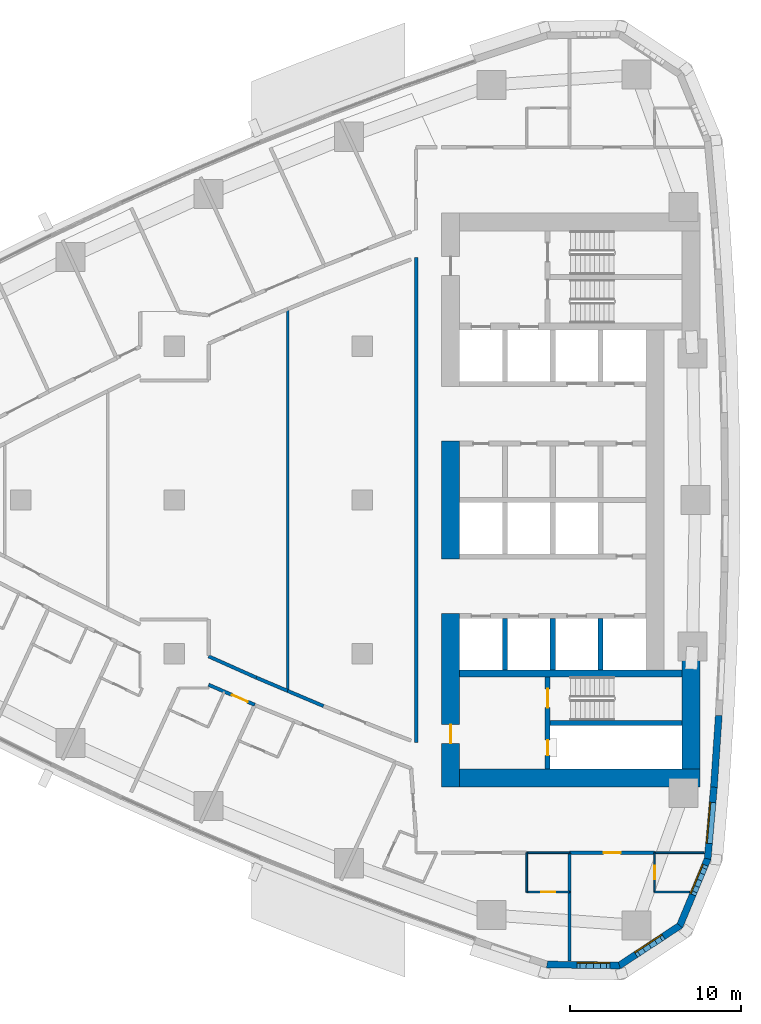
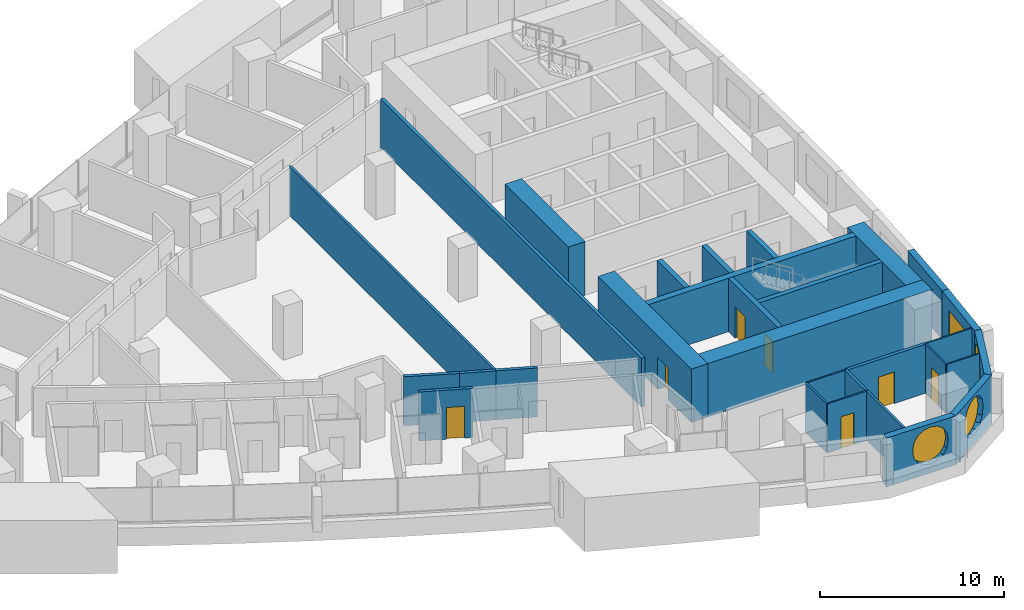
# One storey, part 10 of 17: 29 walls, 7 doors, 4 windows, 11 openings.
"""IFC4 building model written with IfcOpenShell, lengths in metres."""

from ifc_helpers import new_model, si_unit, direction, frame, frame_2d, origin, place, context, subcontext, project, spatial, polyline, rectangle, outline, extrude, material, layer, layer_set, type_object, element, fill, save


model = new_model("IFC4")

# Units and contexts
model_context = context("Model", 3, precision=1e-05, world=origin(), true_north=direction((0.0, 1.0)))
body_context = subcontext(model_context, "Body", "Model", "MODEL_VIEW")
ifc_project = project(units=[si_unit("LENGTHUNIT", "METRE"), si_unit("AREAUNIT", "SQUARE_METRE"), si_unit("VOLUMEUNIT", "CUBIC_METRE"), si_unit("PLANEANGLEUNIT", "RADIAN"), si_unit("MASSUNIT", "GRAM", prefix="KILO")], contexts=[model_context])

# Site, building, storey
site_placement = place(None, origin())
site = spatial("IfcSite", under=ifc_project, at=site_placement, CompositionType="ELEMENT")
building_placement = place(site_placement, origin())
building = spatial("IfcBuilding", under=site, at=building_placement, Name="Ostrand Prow Hotel Tower", CompositionType="ELEMENT")
storey_placement = place(building_placement, frame((0.0, 0.0, 88.449951171875)))
storey = spatial("IfcBuildingStorey", under=building, at=storey_placement, Name="L20", CompositionType="ELEMENT", Elevation=88.449951171875)

# Wall
ifc_material_1 = material(Name="Concrete C80/95", Category="concrete")
ifc_layer_1 = layer(ifc_material_1, 1.050048828125)
ifc_layer_set_1 = layer_set([ifc_layer_1], Name="Concrete C80/95")
wall_type_1 = type_object("IfcWallType", Name="Core wall 1050 C80/95", PredefinedType="SHEAR", material=ifc_layer_set_1)
wall_1_placement = place(storey_placement, frame((50.175048828125, -3.449951171875, 0.0), z_axis=(0.0, 0.0, 1.0), x_axis=(0.0, 1.0, 0.0)))
element("IfcWall", 1, at=wall_1_placement, inside=storey, type_object=wall_type_1, Name="Core wall CW-W-C", PredefinedType="SHEAR", context=body_context, shape_type="SweptSolid", body=[
    extrude(rectangle(XDim=6.89990234375, YDim=1.050048828125, at=frame_2d((3.449951171875, 0.0))), origin(), (0.0, 0.0, 1.0), 3.550048828125),
])

# Wall, opening, door
wall_2_placement = place(storey_placement, frame((50.175048828125, -16.800048828125, 0.0), z_axis=(0.0, 0.0, 1.0), x_axis=(0.0, 1.0, 0.0)))
wall_2 = element("IfcWall", 2, at=wall_2_placement, inside=storey, type_object=wall_type_1, Name="Core wall CW-W-S", PredefinedType="SHEAR", context=body_context, shape_type="SweptSolid", body=[
    extrude(rectangle(XDim=10.150146484375, YDim=1.050048828125, at=frame_2d((5.0751953125, 0.0))), origin(), (0.0, 0.0, 1.0), 3.550048828125),
])
opening_1_placement = place(wall_2_placement, frame((2.550048828125, 0.0, 0.0)))
opening_1 = element("IfcOpeningElement", 3, at=opening_1_placement, cuts=wall_2, Name="Opening FD1", PredefinedType="OPENING", context=body_context, shape_type="SweptSolid", body=[
    extrude(rectangle(XDim=1.10009765625, YDim=2.10009765625, at=frame_2d((0.550048828125, 1.050048828125))), frame((0.0, 0.534912109375, 0.0), z_axis=(0.0, -1.0, 0.0), x_axis=(1.0, 0.0, 0.0)), (0.0, 0.0, 1.0), 1.070068359375),
])
ifc_material_2 = material(Name="Steel fire door", Category="steel")
door_type_1 = type_object("IfcDoorType", Name="Fire door 1100 EI120", OperationType="SINGLE_SWING_RIGHT", PredefinedType="DOOR", material=ifc_material_2)
door_1_placement = place(opening_1_placement, origin())
door_1 = element("IfcDoor", 4, at=door_1_placement, inside=storey, type_object=door_type_1, Name="FIRE DOOR", OperationType="SINGLE_SWING_RIGHT", OverallHeight=2.10009765625, OverallWidth=1.10009765625, PredefinedType="DOOR", context=body_context, shape_type="SweptSolid", body=[
    extrude(rectangle(XDim=1.10009765625, YDim=2.10009765625, at=frame_2d((0.550048828125, 1.050048828125))), frame((0.0, 0.02490234375, 0.0), z_axis=(0.0, -1.0, 0.0), x_axis=(1.0, 0.0, 0.0)), (0.0, 0.0, 1.0), 0.050048828125),
])
fill(opening_1, door_1)

# Walls
wall_3_placement = place(storey_placement, frame((50.699951171875, -16.27490234375, 0.0), z_axis=(0.0, 0.0, 1.0), x_axis=(1.0, 0.0, 0.0)))
element("IfcWall", 5, at=wall_3_placement, inside=storey, type_object=wall_type_1, Name="Core wall CW-S", PredefinedType="SHEAR", context=body_context, shape_type="SweptSolid", body=[
    extrude(rectangle(XDim=14.070068359375, YDim=1.050048828125, at=frame_2d((7.03515625, 0.0))), origin(), (0.0, 0.0, 1.0), 3.550048828125),
])
wall_4_placement = place(storey_placement, frame((64.2451171875, -15.75, 0.0), z_axis=(0.0, 0.0, 1.0), x_axis=(0.0, 1.0, 0.0)))
element("IfcWall", 6, at=wall_4_placement, inside=storey, type_object=wall_type_1, Name="Core wall CW-E-S", PredefinedType="SHEAR", context=body_context, shape_type="SweptSolid", body=[
    extrude(rectangle(XDim=6.361328125, YDim=1.050048828125, at=frame_2d((3.1806640625, 0.0))), origin(), (0.0, 0.0, 1.0), 3.550048828125),
])
ifc_material_3 = material(Name="Concrete C80/95", Category="concrete")
ifc_layer_2 = layer(ifc_material_3, 0.300048828125)
ifc_layer_set_2 = layer_set([ifc_layer_2], Name="Concrete C80/95")
wall_type_2 = type_object("IfcWallType", Name="Core wall 300 C80/95", PredefinedType="SHEAR", material=ifc_layer_set_2)
for number, where, z_axis, x_axis, name in (
    (7, (53.35009765625, -9.949951171875, 0.0), (0.0, 0.0, 1.0), (0.0, 1.0, 0.0), "Core wall PW-R1-SA"),
    (8, (56.14990234375, -9.949951171875, 0.0), (0.0, 0.0, 1.0), (0.0, 1.0, 0.0), "Core wall PW-R2-SA"),
    (9, (58.949951171875, -9.949951171875, 0.0), (0.0, 0.0, 1.0), (0.0, 1.0, 0.0), "Core wall PW-R3-SA"),
):
    element("IfcWall", number, at=place(storey_placement, frame(where, z_axis=z_axis, x_axis=x_axis)), inside=storey, type_object=wall_type_2, Name=name, PredefinedType="SHEAR", context=body_context, shape_type="SweptSolid", body=[
        extrude(rectangle(XDim=3.0, YDim=0.300048828125, at=frame_2d((1.5, 0.0))), origin(), (0.0, 0.0, 1.0), 3.550048828125),
    ])

# Wall, openings, doors
wall_5_placement = place(storey_placement, frame((55.85009765625, -15.75, 0.0), z_axis=(0.0, 0.0, 1.0), x_axis=(0.0, 1.0, 0.0)))
wall_5 = element("IfcWall", 10, at=wall_5_placement, inside=storey, type_object=wall_type_2, Name="Core wall PW-VS", PredefinedType="SHEAR", context=body_context, shape_type="SweptSolid", body=[
    extrude(rectangle(XDim=5.39990234375, YDim=0.300048828125, at=frame_2d((2.699951171875, 0.0))), origin(), (0.0, 0.0, 1.0), 3.550048828125),
])
opening_2_placement = place(wall_5_placement, frame((3.60009765625, 0.0, 0.0)))
opening_2 = element("IfcOpeningElement", 11, at=opening_2_placement, cuts=wall_5, Name="Opening FD1", PredefinedType="OPENING", context=body_context, shape_type="SweptSolid", body=[
    extrude(rectangle(XDim=1.10009765625, YDim=2.10009765625, at=frame_2d((0.550048828125, 1.050048828125))), frame((0.0, 0.159912109375, 0.0), z_axis=(0.0, -1.0, 0.0), x_axis=(1.0, 0.0, 0.0)), (0.0, 0.0, 1.0), 0.320068359375),
])
opening_3_placement = place(wall_5_placement, frame((0.800048828125, 0.0, 0.0)))
opening_3 = element("IfcOpeningElement", 12, at=opening_3_placement, cuts=wall_5, Name="Opening FD2", PredefinedType="OPENING", context=body_context, shape_type="SweptSolid", body=[
    extrude(rectangle(XDim=0.89990234375, YDim=2.10009765625, at=frame_2d((0.449951171875, 1.050048828125))), frame((0.0, 0.159912109375, 0.0), z_axis=(0.0, -1.0, 0.0), x_axis=(1.0, 0.0, 0.0)), (0.0, 0.0, 1.0), 0.320068359375),
])
door_2_placement = place(opening_2_placement, origin())
door_2 = element("IfcDoor", 13, at=door_2_placement, inside=storey, type_object=door_type_1, Name="FIRE DOOR", OperationType="SINGLE_SWING_RIGHT", OverallHeight=2.10009765625, OverallWidth=1.10009765625, PredefinedType="DOOR", context=body_context, shape_type="SweptSolid", body=[
    extrude(rectangle(XDim=1.10009765625, YDim=2.10009765625, at=frame_2d((0.550048828125, 1.050048828125))), frame((0.0, 0.02490234375, 0.0), z_axis=(0.0, -1.0, 0.0), x_axis=(1.0, 0.0, 0.0)), (0.0, 0.0, 1.0), 0.050048828125),
])
fill(opening_2, door_2)
ifc_material_4 = material(Name="Steel fire door", Category="steel")
door_type_2 = type_object("IfcDoorType", Name="Fire door 900 EI120", OperationType="SINGLE_SWING_LEFT", PredefinedType="DOOR", material=ifc_material_4)
door_3_placement = place(opening_3_placement, origin())
door_3 = element("IfcDoor", 14, at=door_3_placement, inside=storey, type_object=door_type_2, Name="FIRE DOOR", OperationType="SINGLE_SWING_LEFT", OverallHeight=2.10009765625, OverallWidth=0.89990234375, PredefinedType="DOOR", context=body_context, shape_type="SweptSolid", body=[
    extrude(rectangle(XDim=0.89990234375, YDim=2.10009765625, at=frame_2d((0.449951171875, 1.050048828125))), frame((0.0, 0.02490234375, 0.0), z_axis=(0.0, -1.0, 0.0), x_axis=(1.0, 0.0, 0.0)), (0.0, 0.0, 1.0), 0.050048828125),
])
fill(opening_3, door_3)

# Walls
wall_6_placement = place(storey_placement, frame((56.0, -13.050048828125, 0.0), z_axis=(0.0, 0.0, 1.0), x_axis=(1.0, 0.0, 0.0)))
element("IfcWall", 15, at=wall_6_placement, inside=storey, type_object=wall_type_2, Name="Core wall PW-ST2R", PredefinedType="SHEAR", context=body_context, shape_type="SweptSolid", body=[
    extrude(rectangle(XDim=7.719970703125, YDim=0.300048828125, at=frame_2d((3.85986328125, 0.0))), origin(), (0.0, 0.0, 1.0), 3.550048828125),
])
ifc_material_5 = material(Name="Concrete C80/95", Category="concrete")
ifc_layer_3 = layer(ifc_material_5, 0.39990234375)
ifc_layer_set_3 = layer_set([ifc_layer_3], Name="Concrete C80/95")
wall_type_3 = type_object("IfcWallType", Name="Core wall 400 C80/95", PredefinedType="SHEAR", material=ifc_layer_set_3)
wall_7_placement = place(storey_placement, frame((50.699951171875, -10.14990234375, 0.0), z_axis=(0.0, 0.0, 1.0), x_axis=(1.0, 0.0, 0.0)))
element("IfcWall", 16, at=wall_7_placement, inside=storey, type_object=wall_type_3, Name="Core wall PW-BS", PredefinedType="SHEAR", context=body_context, shape_type="SweptSolid", body=[
    extrude(rectangle(XDim=13.02001953125, YDim=0.39990234375, at=frame_2d((6.510009765625, 0.0))), origin(), (0.0, 0.0, 1.0), 3.550048828125),
])
ifc_material_6 = material(Name="Plasterboard partition")
ifc_layer_4 = layer(ifc_material_6, 0.10009765625)
ifc_layer_set_4 = layer_set([ifc_layer_4], Name="Plasterboard partition")
wall_type_4 = type_object("IfcWallType", Name="Partition 100 bathroom wall", PredefinedType="PARTITIONING", material=ifc_layer_set_4)
wall_8_placement = place(storey_placement, frame((54.630615234375, -22.949951171875, 0.0), z_axis=(0.0, 0.0, 1.0), x_axis=(0.0, 1.0, 0.0)))
element("IfcWall", 17, at=wall_8_placement, inside=storey, type_object=wall_type_4, Name="BATHROOM WALL", PredefinedType="PARTITIONING", context=body_context, shape_type="SweptSolid", body=[
    extrude(rectangle(XDim=2.300048828125, YDim=0.10009765625, at=frame_2d((1.14990234375, 0.0))), origin(), (0.0, 0.0, 1.0), 3.25),
])

# Wall, opening, door
wall_9_placement = place(storey_placement, frame((57.130615234375, -22.949951171875, 0.0), z_axis=(0.0, 0.0, 1.0), x_axis=(-1.0, 0.0, 0.0)))
wall_9 = element("IfcWall", 18, at=wall_9_placement, inside=storey, type_object=wall_type_4, Name="BATHROOM WALL", PredefinedType="PARTITIONING", context=body_context, shape_type="SweptSolid", body=[
    extrude(rectangle(XDim=2.5, YDim=0.10009765625, at=frame_2d((1.25, 0.0))), origin(), (0.0, 0.0, 1.0), 3.25),
])
opening_4_placement = place(wall_9_placement, frame((0.85009765625, 0.0, 0.0)))
opening_4 = element("IfcOpeningElement", 19, at=opening_4_placement, cuts=wall_9, Name="Opening D2", PredefinedType="OPENING", context=body_context, shape_type="SweptSolid", body=[
    extrude(rectangle(XDim=0.800048828125, YDim=2.10009765625, at=frame_2d((0.39990234375, 1.050048828125))), frame((0.0, 0.06005859375, 0.0), z_axis=(0.0, -1.0, 0.0), x_axis=(1.0, 0.0, 0.0)), (0.0, 0.0, 1.0), 0.1201171875),
])
ifc_material_7 = material(Name="Timber door leaf", Category="wood")
door_type_3 = type_object("IfcDoorType", Name="Bathroom door 800", OperationType="SINGLE_SWING_LEFT", PredefinedType="DOOR", material=ifc_material_7)
door_4_placement = place(opening_4_placement, origin())
door_4 = element("IfcDoor", 20, at=door_4_placement, inside=storey, type_object=door_type_3, Name="DOOR", OperationType="SINGLE_SWING_LEFT", OverallHeight=2.10009765625, OverallWidth=0.800048828125, PredefinedType="DOOR", context=body_context, shape_type="SweptSolid", body=[
    extrude(rectangle(XDim=0.800048828125, YDim=2.10009765625, at=frame_2d((0.39990234375, 1.050048828125))), frame((0.0, 0.02490234375, 0.0), z_axis=(0.0, -1.0, 0.0), x_axis=(1.0, 0.0, 0.0)), (0.0, 0.0, 1.0), 0.050048828125),
])
fill(opening_4, door_4)

# Wall
wall_10_placement = place(storey_placement, frame((64.160400390625, -22.949951171875, 0.0), z_axis=(0.0, 0.0, 1.0), x_axis=(-1.0, 0.0, 0.0)))
element("IfcWall", 21, at=wall_10_placement, inside=storey, type_object=wall_type_4, Name="BATHROOM WALL", PredefinedType="PARTITIONING", context=body_context, shape_type="SweptSolid", body=[
    extrude(rectangle(XDim=2.04931640625, YDim=0.10009765625, at=frame_2d((1.024658203125, 0.0))), origin(), (0.0, 0.0, 1.0), 3.25),
])

# Wall, opening, door
wall_11_placement = place(storey_placement, frame((62.111083984375, -22.949951171875, 0.0), z_axis=(0.0, 0.0, 1.0), x_axis=(0.0, 1.0, 0.0)))
wall_11 = element("IfcWall", 22, at=wall_11_placement, inside=storey, type_object=wall_type_4, Name="BATHROOM WALL", PredefinedType="PARTITIONING", context=body_context, shape_type="SweptSolid", body=[
    extrude(rectangle(XDim=2.300048828125, YDim=0.10009765625, at=frame_2d((1.14990234375, 0.0))), origin(), (0.0, 0.0, 1.0), 3.25),
])
opening_5_placement = place(wall_11_placement, frame((0.75, 0.0, 0.0)))
opening_5 = element("IfcOpeningElement", 23, at=opening_5_placement, cuts=wall_11, Name="Opening D2", PredefinedType="OPENING", context=body_context, shape_type="SweptSolid", body=[
    extrude(rectangle(XDim=0.800048828125, YDim=2.10009765625, at=frame_2d((0.39990234375, 1.050048828125))), frame((0.0, 0.06005859375, 0.0), z_axis=(0.0, -1.0, 0.0), x_axis=(1.0, 0.0, 0.0)), (0.0, 0.0, 1.0), 0.1201171875),
])
door_5_placement = place(opening_5_placement, origin())
door_5 = element("IfcDoor", 24, at=door_5_placement, inside=storey, type_object=door_type_3, Name="DOOR", OperationType="SINGLE_SWING_LEFT", OverallHeight=2.10009765625, OverallWidth=0.800048828125, PredefinedType="DOOR", context=body_context, shape_type="SweptSolid", body=[
    extrude(rectangle(XDim=0.800048828125, YDim=2.10009765625, at=frame_2d((0.39990234375, 1.050048828125))), frame((0.0, 0.02490234375, 0.0), z_axis=(0.0, -1.0, 0.0), x_axis=(1.0, 0.0, 0.0)), (0.0, 0.0, 1.0), 0.050048828125),
])
fill(opening_5, door_5)

# Walls
wall_12_placement = place(storey_placement, frame((54.630615234375, -20.655029296875, 0.0), z_axis=(0.0, 0.0, 1.0), x_axis=(1.0, 0.0, 0.0)))
element("IfcWall", 25, at=wall_12_placement, inside=storey, type_object=wall_type_4, Name="BATHROOM WALL", PredefinedType="PARTITIONING", context=body_context, shape_type="SweptSolid", body=[
    extrude(rectangle(XDim=2.5, YDim=0.10009765625, at=frame_2d((1.25, 0.0))), origin(), (0.0, 0.0, 1.0), 3.25),
])
wall_13_placement = place(storey_placement, frame((62.111083984375, -20.655029296875, 0.0), z_axis=(0.0, 0.0, 1.0), x_axis=(1.0, 0.0, 0.0)))
element("IfcWall", 26, at=wall_13_placement, inside=storey, type_object=wall_type_4, Name="BATHROOM WALL", PredefinedType="PARTITIONING", context=body_context, shape_type="SweptSolid", body=[
    extrude(rectangle(XDim=2.90576171875, YDim=0.10009765625, at=frame_2d((1.452880859375, 0.0))), origin(), (0.0, 0.0, 1.0), 3.25),
])
ifc_material_8 = material(Name="Plasterboard partition")
ifc_layer_5 = layer(ifc_material_8, 0.14990234375)
ifc_layer_set_5 = layer_set([ifc_layer_5], Name="Plasterboard partition")
wall_type_5 = type_object("IfcWallType", Name="Partition 150 room partition", PredefinedType="PARTITIONING", material=ifc_layer_set_5)
wall_14_placement = place(storey_placement, frame((57.130615234375, -26.97900390625, 0.0), z_axis=(0.0, 0.0, 1.0), x_axis=(0.0, 1.0, 0.0)))
element("IfcWall", 27, at=wall_14_placement, inside=storey, type_object=wall_type_5, Name="ROOM PARTITION", PredefinedType="PARTITIONING", context=body_context, shape_type="SweptSolid", body=[
    extrude(rectangle(XDim=6.3291015625, YDim=0.14990234375, at=frame_2d((3.16455078125, 0.0))), origin(), (0.0, 0.0, 1.0), 3.25),
])
wall_15_placement = place(storey_placement, frame((40.628662109375, -11.173828125, 0.0), z_axis=(0.0, 0.0, 1.0), x_axis=(0.0, 1.0, 0.0)))
element("IfcWall", 28, at=wall_15_placement, inside=storey, type_object=wall_type_5, Name="ROOM PARTITION", PredefinedType="PARTITIONING", context=body_context, shape_type="SweptSolid", body=[
    extrude(rectangle(XDim=22.34765625, YDim=0.14990234375, at=frame_2d((11.173828125, 0.0))), origin(), (0.0, 0.0, 1.0), 3.25),
])

# Wall, opening, door
ifc_material_9 = material(Name="Plasterboard partition")
ifc_layer_6 = layer(ifc_material_9, 0.199951171875)
ifc_layer_set_6 = layer_set([ifc_layer_6], Name="Plasterboard partition")
wall_type_6 = type_object("IfcWallType", Name="Partition 200 corridor wall", PredefinedType="PARTITIONING", material=ifc_layer_set_6)
wall_16_placement = place(storey_placement, frame((36.0, -10.814697265625, 0.0), z_axis=(0.0, 0.0, 1.0), x_axis=(0.917314766234, -0.398162805457, 0.0)))
wall_16 = element("IfcWall", 29, at=wall_16_placement, inside=storey, type_object=wall_type_6, Name="CORRIDOR WALL", PredefinedType="PARTITIONING", context=body_context, shape_type="SweptSolid", body=[
    extrude(rectangle(XDim=2.947998046875, YDim=0.199951171875, at=frame_2d((1.47412109375, 0.0))), origin(), (0.0, 0.0, 1.0), 3.25),
])
opening_6_placement = place(wall_16_placement, frame((1.5, 0.0, 0.0)))
opening_6 = element("IfcOpeningElement", 30, at=opening_6_placement, cuts=wall_16, Name="Opening D1R", PredefinedType="OPENING", context=body_context, shape_type="SweptSolid", body=[
    extrude(rectangle(XDim=1.0, YDim=2.10009765625, at=frame_2d((0.5, 1.050048828125))), frame((0.0, 0.10986328125, 0.0), z_axis=(0.0, -1.0, 0.0), x_axis=(1.0, 0.0, 0.0)), (0.0, 0.0, 1.0), 0.219970703125),
])
ifc_material_10 = material(Name="Timber door leaf", Category="wood")
door_type_4 = type_object("IfcDoorType", Name="Guest room door 1000 right", OperationType="SINGLE_SWING_RIGHT", PredefinedType="DOOR", material=ifc_material_10)
door_6_placement = place(opening_6_placement, origin())
door_6 = element("IfcDoor", 31, at=door_6_placement, inside=storey, type_object=door_type_4, Name="DOOR", OperationType="SINGLE_SWING_RIGHT", OverallHeight=2.10009765625, OverallWidth=1.0, PredefinedType="DOOR", context=body_context, shape_type="SweptSolid", body=[
    extrude(rectangle(XDim=1.0, YDim=2.10009765625, at=frame_2d((0.5, 1.050048828125))), frame((0.0, 0.02490234375, 0.0), z_axis=(0.0, -1.0, 0.0), x_axis=(1.0, 0.0, 0.0)), (0.0, 0.0, 1.0), 0.050048828125),
])
fill(opening_6, door_6)

# Walls
wall_17_placement = place(storey_placement, frame((40.628662109375, -11.173828125, 0.0), z_axis=(0.0, 0.0, 1.0), x_axis=(-0.92104665064, 0.38945226581, 0.0)))
element("IfcWall", 32, at=wall_17_placement, inside=storey, type_object=wall_type_6, Name="CORRIDOR WALL", PredefinedType="PARTITIONING", context=body_context, shape_type="SweptSolid", body=[
    extrude(rectangle(XDim=1.994140625, YDim=0.199951171875, at=frame_2d((0.9970703125, 0.0))), origin(), (0.0, 0.0, 1.0), 3.25),
])
wall_18_placement = place(storey_placement, frame((38.7919921875, -10.397216796875, 0.0), z_axis=(0.0, 0.0, 1.0), x_axis=(-0.913029587861, 0.407893333716, 0.0)))
element("IfcWall", 33, at=wall_18_placement, inside=storey, type_object=wall_type_6, Name="CORRIDOR WALL", PredefinedType="PARTITIONING", context=body_context, shape_type="SweptSolid", body=[
    extrude(rectangle(XDim=3.057861328125, YDim=0.199951171875, at=frame_2d((1.52880859375, 0.0))), origin(), (0.0, 0.0, 1.0), 3.25),
])
wall_19_placement = place(storey_placement, frame((42.727783203125, -12.0615234375, 0.0), z_axis=(0.0, 0.0, 1.0), x_axis=(-0.921029334809, 0.38949321486, 0.0)))
element("IfcWall", 34, at=wall_19_placement, inside=storey, type_object=wall_type_6, Name="CORRIDOR WALL", PredefinedType="PARTITIONING", context=body_context, shape_type="SweptSolid", body=[
    extrude(rectangle(XDim=2.279052734375, YDim=0.199951171875, at=frame_2d((1.1396484375, 0.0))), origin(), (0.0, 0.0, 1.0), 3.25),
])

# Wall, opening, door
wall_20_placement = place(storey_placement, frame((57.135498046875, -20.655029296875, 0.0), z_axis=(0.0, 0.0, 1.0), x_axis=(1.0, 0.0, 0.0)))
wall_20 = element("IfcWall", 35, at=wall_20_placement, inside=storey, type_object=wall_type_6, Name="CORRIDOR WALL", PredefinedType="PARTITIONING", context=body_context, shape_type="SweptSolid", body=[
    extrude(rectangle(XDim=4.970703125, YDim=0.199951171875, at=frame_2d((2.4853515625, 0.0))), origin(), (0.0, 0.0, 1.0), 3.25),
])
opening_7_placement = place(wall_20_placement, frame((1.9853515625, 0.0, 0.0)))
opening_7 = element("IfcOpeningElement", 36, at=opening_7_placement, cuts=wall_20, Name="Opening D1", PredefinedType="OPENING", context=body_context, shape_type="SweptSolid", body=[
    extrude(rectangle(XDim=1.0, YDim=2.10009765625, at=frame_2d((0.5, 1.050048828125))), frame((0.0, 0.10986328125, 0.0), z_axis=(0.0, -1.0, 0.0), x_axis=(1.0, 0.0, 0.0)), (0.0, 0.0, 1.0), 0.219970703125),
])
ifc_material_11 = material(Name="Timber door leaf", Category="wood")
door_type_5 = type_object("IfcDoorType", Name="Guest room door 1000", OperationType="SINGLE_SWING_LEFT", PredefinedType="DOOR", material=ifc_material_11)
door_7_placement = place(opening_7_placement, origin())
door_7 = element("IfcDoor", 37, at=door_7_placement, inside=storey, type_object=door_type_5, Name="DOOR", OperationType="SINGLE_SWING_LEFT", OverallHeight=2.10009765625, OverallWidth=1.0, PredefinedType="DOOR", context=body_context, shape_type="SweptSolid", body=[
    extrude(rectangle(XDim=1.0, YDim=2.10009765625, at=frame_2d((0.5, 1.050048828125))), frame((0.0, 0.02490234375, 0.0), z_axis=(0.0, -1.0, 0.0), x_axis=(1.0, 0.0, 0.0)), (0.0, 0.0, 1.0), 0.050048828125),
])
fill(opening_7, door_7)

# Wall
wall_21_placement = place(storey_placement, frame((48.14990234375, 14.188720703125, 0.0), z_axis=(0.0, 0.0, 1.0), x_axis=(0.0, -1.0, 0.0)))
element("IfcWall", 38, at=wall_21_placement, inside=storey, type_object=wall_type_6, Name="CORRIDOR WALL", PredefinedType="PARTITIONING", context=body_context, shape_type="SweptSolid", body=[
    extrude(rectangle(XDim=28.37744140625, YDim=0.199951171875, at=frame_2d((14.188720703125, 0.0))), origin(), (0.0, 0.0, 1.0), 3.25),
])

# Wall, opening, window
ifc_material_12 = material(Name="Precast concrete C40/50", Category="concrete")
ifc_layer_7 = layer(ifc_material_12, 0.39990234375)
ifc_layer_set_7 = layer_set([ifc_layer_7], Name="Precast concrete C40/50")
wall_type_7 = type_object("IfcWallType", Name="Stone-faced precast wall 400 mm", PredefinedType="NOTDEFINED", material=ifc_layer_set_7)
wall_22_placement = place(storey_placement, frame((55.81005859375, -27.192138671875, 0.0), z_axis=(0.0, 0.0, 1.0), x_axis=(0.999919718849, -0.012671063772, 0.0)))
wall_22 = element("IfcWall", 39, at=wall_22_placement, inside=storey, type_object=wall_type_7, Name="Stone-faced wall back 2", PredefinedType="NOTDEFINED", context=body_context, shape_type="SweptSolid", body=[
    extrude(outline(polyline([(-0.031005859375, -0.199951171875), (4.300048828125, -0.199951171875), (4.177490234375, 0.199951171875), (0.031005859375, 0.199951171875), (-0.031005859375, -0.199951171875)])), origin(), (0.0, 0.0, 1.0), 3.25),
])
opening_8_placement = place(wall_22_placement, frame((1.620849609375, 0.0, 0.60009765625)))
opening_8 = element("IfcOpeningElement", 40, at=opening_8_placement, cuts=wall_22, Name="Opening WP2", PredefinedType="OPENING", context=body_context, shape_type="SweptSolid", body=[
    extrude(outline(polyline([(0.0, 1.35009765625), (0.083740234375, 1.77099609375), (0.322265625, 2.127685546875), (0.678955078125, 2.3662109375), (1.10009765625, 2.449951171875), (1.52099609375, 2.3662109375), (1.877685546875, 2.127685546875), (2.1162109375, 1.77099609375), (2.199951171875, 1.35009765625), (2.199951171875, 1.10009765625), (2.1162109375, 0.678955078125), (1.877685546875, 0.322265625), (1.52099609375, 0.083740234375), (1.10009765625, 0.0), (0.678955078125, 0.083740234375), (0.322265625, 0.322265625), (0.083740234375, 0.678955078125), (0.0, 1.099853515625), (0.0, 1.35009765625)])), frame((0.0, 0.2099609375, 0.0), z_axis=(0.0, -1.0, 0.0), x_axis=(1.0, 0.0, 0.0)), (0.0, 0.0, 1.0), 0.419921875),
])
ifc_material_13 = material(Name="Insulated glass in bronze frame", Category="glass")
window_type_1 = type_object("IfcWindowType", Name="Round-ended prow lounge window 2200x2450", PartitioningType="SINGLE_PANEL", PredefinedType="WINDOW", material=ifc_material_13)
window_1_placement = place(opening_8_placement, origin())
window_1 = element("IfcWindow", 41, at=window_1_placement, inside=storey, type_object=window_type_1, Name="Window back 2.1", OverallHeight=2.449951171875, OverallWidth=2.199951171875, PartitioningType="SINGLE_PANEL", PredefinedType="WINDOW", context=body_context, shape_type="SweptSolid", body=[
    extrude(outline(polyline([(0.0, 1.35009765625), (0.083740234375, 1.77099609375), (0.322265625, 2.127685546875), (0.678955078125, 2.3662109375), (1.10009765625, 2.449951171875), (1.52099609375, 2.3662109375), (1.877685546875, 2.127685546875), (2.1162109375, 1.77099609375), (2.199951171875, 1.35009765625), (2.199951171875, 1.10009765625), (2.1162109375, 0.678955078125), (1.877685546875, 0.322265625), (1.52099609375, 0.083740234375), (1.10009765625, 0.0), (0.678955078125, 0.083740234375), (0.322265625, 0.322265625), (0.083740234375, 0.678955078125), (0.0, 1.099853515625), (0.0, 1.35009765625)])), frame((0.0, 0.169921875, 0.0), z_axis=(0.0, -1.0, 0.0), x_axis=(1.0, 0.0, 0.0)), (0.0, 0.0, 1.0), 0.06005859375),
])
fill(opening_8, window_1)

wall_23_placement = place(storey_placement, frame((60.048583984375, -27.245849609375, 0.0), z_axis=(0.0, 0.0, 1.0), x_axis=(0.835340523653, 0.549732852887, 0.0)))
wall_23 = element("IfcWall", 42, at=wall_23_placement, inside=storey, type_object=wall_type_7, Name="Stone-faced wall back 3", PredefinedType="NOTDEFINED", context=body_context, shape_type="SweptSolid", body=[
    extrude(outline(polyline([(-0.061279296875, -0.199951171875), (4.30029296875, -0.199951171875), (4.177734375, 0.199951171875), (0.061279296875, 0.199951171875), (-0.061279296875, -0.199951171875)])), origin(), (0.0, 0.0, 1.0), 3.25),
])
opening_9_placement = place(wall_23_placement, frame((1.01953125, 0.0, 0.60009765625)))
opening_9 = element("IfcOpeningElement", 43, at=opening_9_placement, cuts=wall_23, Name="Opening WP2", PredefinedType="OPENING", context=body_context, shape_type="SweptSolid", body=[
    extrude(outline(polyline([(0.0, 1.35009765625), (0.083740234375, 1.77099609375), (0.322265625, 2.127685546875), (0.678955078125, 2.3662109375), (1.10009765625, 2.449951171875), (1.52099609375, 2.3662109375), (1.877685546875, 2.127685546875), (2.1162109375, 1.77099609375), (2.199951171875, 1.35009765625), (2.199951171875, 1.10009765625), (2.1162109375, 0.678955078125), (1.877685546875, 0.322265625), (1.52099609375, 0.083740234375), (1.10009765625, 0.0), (0.678955078125, 0.083740234375), (0.322265625, 0.322265625), (0.083740234375, 0.678955078125), (0.0, 1.099853515625), (0.0, 1.35009765625)])), frame((0.0, 0.2099609375, 0.0), z_axis=(0.0, -1.0, 0.0), x_axis=(1.0, 0.0, 0.0)), (0.0, 0.0, 1.0), 0.419921875),
])
window_2_placement = place(opening_9_placement, origin())
window_2 = element("IfcWindow", 44, at=window_2_placement, inside=storey, type_object=window_type_1, Name="Window back 3.1", OverallHeight=2.449951171875, OverallWidth=2.199951171875, PartitioningType="SINGLE_PANEL", PredefinedType="WINDOW", context=body_context, shape_type="SweptSolid", body=[
    extrude(outline(polyline([(0.0, 1.35009765625), (0.083740234375, 1.77099609375), (0.322265625, 2.127685546875), (0.678955078125, 2.3662109375), (1.10009765625, 2.449951171875), (1.52099609375, 2.3662109375), (1.877685546875, 2.127685546875), (2.1162109375, 1.77099609375), (2.199951171875, 1.35009765625), (2.199951171875, 1.10009765625), (2.1162109375, 0.678955078125), (1.877685546875, 0.322265625), (1.52099609375, 0.083740234375), (1.10009765625, 0.0), (0.678955078125, 0.083740234375), (0.322265625, 0.322265625), (0.083740234375, 0.678955078125), (0.0, 1.099853515625), (0.0, 1.35009765625)])), frame((0.0, 0.169921875, 0.0), z_axis=(0.0, -1.0, 0.0), x_axis=(1.0, 0.0, 0.0)), (0.0, 0.0, 1.0), 0.06005859375),
])
fill(opening_9, window_2)

wall_24_placement = place(storey_placement, frame((63.589599609375, -24.91552734375, 0.0), z_axis=(0.0, 0.0, 1.0), x_axis=(0.383997751971, 0.923334027577, 0.0)))
wall_24 = element("IfcWall", 45, at=wall_24_placement, inside=storey, type_object=wall_type_7, Name="Stone-faced wall back 4", PredefinedType="NOTDEFINED", context=body_context, shape_type="SweptSolid", body=[
    extrude(outline(polyline([(-0.061279296875, -0.199951171875), (4.269775390625, -0.199951171875), (4.207763671875, 0.199951171875), (0.061279296875, 0.199951171875), (-0.061279296875, -0.199951171875)])), origin(), (0.0, 0.0, 1.0), 3.25),
])
opening_10_placement = place(wall_24_placement, frame((1.852294921875, 0.0, 0.60009765625)))
opening_10 = element("IfcOpeningElement", 46, at=opening_10_placement, cuts=wall_24, Name="Opening WP2-21", PredefinedType="OPENING", context=body_context, shape_type="SweptSolid", body=[
    extrude(outline(polyline([(0.0, 1.39990234375), (0.079833984375, 1.8017578125), (0.3076171875, 2.142333984375), (0.648193359375, 2.3701171875), (1.050048828125, 2.449951171875), (1.451904296875, 2.3701171875), (1.79248046875, 2.142333984375), (2.020263671875, 1.8017578125), (2.10009765625, 1.39990234375), (2.10009765625, 1.050048828125), (2.020263671875, 0.648193359375), (1.79248046875, 0.3076171875), (1.451904296875, 0.079833984375), (1.050048828125, 0.0), (0.648193359375, 0.079833984375), (0.3076171875, 0.3076171875), (0.079833984375, 0.648193359375), (0.0, 1.050048828125), (0.0, 1.39990234375)])), frame((0.0, 0.2099609375, 0.0), z_axis=(0.0, -1.0, 0.0), x_axis=(1.0, 0.0, 0.0)), (0.0, 0.0, 1.0), 0.419921875),
])
ifc_material_14 = material(Name="Insulated glass in bronze frame", Category="glass")
window_type_2 = type_object("IfcWindowType", Name="Round-ended prow lounge window 2100x2450", PartitioningType="SINGLE_PANEL", PredefinedType="WINDOW", material=ifc_material_14)
window_3_placement = place(opening_10_placement, origin())
window_3 = element("IfcWindow", 47, at=window_3_placement, inside=storey, type_object=window_type_2, Name="Window back 4.1", OverallHeight=2.449951171875, OverallWidth=2.10009765625, PartitioningType="SINGLE_PANEL", PredefinedType="WINDOW", context=body_context, shape_type="SweptSolid", body=[
    extrude(outline(polyline([(0.0, 1.39990234375), (0.079833984375, 1.8017578125), (0.3076171875, 2.142333984375), (0.648193359375, 2.3701171875), (1.050048828125, 2.449951171875), (1.451904296875, 2.3701171875), (1.79248046875, 2.142333984375), (2.020263671875, 1.8017578125), (2.10009765625, 1.39990234375), (2.10009765625, 1.050048828125), (2.020263671875, 0.648193359375), (1.79248046875, 0.3076171875), (1.451904296875, 0.079833984375), (1.050048828125, 0.0), (0.648193359375, 0.079833984375), (0.3076171875, 0.3076171875), (0.079833984375, 0.648193359375), (0.0, 1.050048828125), (0.0, 1.39990234375)])), frame((0.0, 0.169921875, 0.0), z_axis=(0.0, -1.0, 0.0), x_axis=(1.0, 0.0, 0.0)), (0.0, 0.0, 1.0), 0.06005859375),
])
fill(opening_10, window_3)

wall_25_placement = place(storey_placement, frame((65.21728515625, -21.001708984375, 0.0), z_axis=(0.0, 0.0, 1.0), x_axis=(0.086992730434, 0.996208946382, 0.0)))
wall_25 = element("IfcWall", 48, at=wall_25_placement, inside=storey, type_object=wall_type_7, Name="Stone-faced wall back 5", PredefinedType="NOTDEFINED", context=body_context, shape_type="SweptSolid", body=[
    extrude(outline(polyline([(-0.031005859375, -0.199951171875), (4.208740234375, -0.199951171875), (4.204833984375, 0.199951171875), (0.031005859375, 0.199951171875), (-0.031005859375, -0.199951171875)])), origin(), (0.0, 0.0, 1.0), 3.25),
])
opening_11_placement = place(wall_25_placement, frame((0.9033203125, 0.0, 0.5)))
opening_11 = element("IfcOpeningElement", 49, at=opening_11_placement, cuts=wall_25, Name="Opening WA1", PredefinedType="OPENING", context=body_context, shape_type="SweptSolid", body=[
    extrude(rectangle(XDim=2.39990234375, YDim=2.0, at=frame_2d((1.199951171875, 1.0))), frame((0.0, 0.2099609375, 0.0), z_axis=(0.0, -1.0, 0.0), x_axis=(1.0, 0.0, 0.0)), (0.0, 0.0, 1.0), 0.419921875),
])
ifc_material_15 = material(Name="Insulated glass in bronze frame", Category="glass")
window_type_3 = type_object("IfcWindowType", Name="Amenity picture window 2400x2000", PartitioningType="SINGLE_PANEL", PredefinedType="WINDOW", material=ifc_material_15)
window_4_placement = place(opening_11_placement, origin())
window_4 = element("IfcWindow", 50, at=window_4_placement, inside=storey, type_object=window_type_3, Name="Window back 5.1", OverallHeight=2.0, OverallWidth=2.39990234375, PartitioningType="SINGLE_PANEL", PredefinedType="WINDOW", context=body_context, shape_type="SweptSolid", body=[
    extrude(rectangle(XDim=2.39990234375, YDim=2.0, at=frame_2d((1.199951171875, 1.0))), frame((0.0, 0.169921875, 0.0), z_axis=(0.0, -1.0, 0.0), x_axis=(1.0, 0.0, 0.0)), (0.0, 0.0, 1.0), 0.06005859375),
])
fill(opening_11, window_4)

# Wall
wall_26_placement = place(storey_placement, frame((65.583251953125, -16.810791015625, 0.0), z_axis=(0.0, 0.0, 1.0), x_axis=(0.067724559895, 0.997704056315, 0.0)))
element("IfcWall", 51, at=wall_26_placement, inside=storey, type_object=wall_type_7, Name="Stone-faced wall back 6", PredefinedType="NOTDEFINED", context=body_context, shape_type="SweptSolid", body=[
    extrude(outline(polyline([(-0.001953125, -0.199951171875), (4.208984375, -0.199951171875), (4.205078125, 0.199951171875), (0.001953125, 0.199951171875), (-0.001953125, -0.199951171875)])), origin(), (0.0, 0.0, 1.0), 3.25),
])

save(model, "model.ifc")
